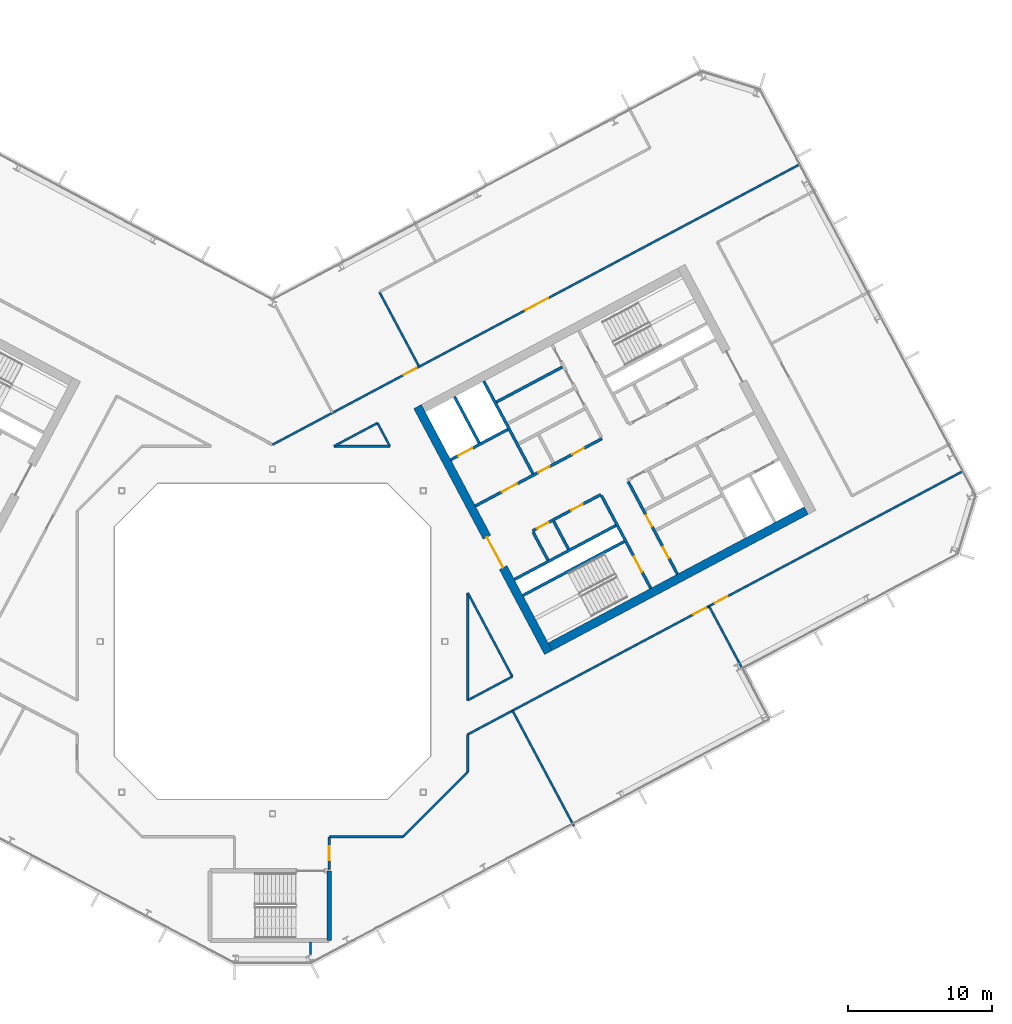
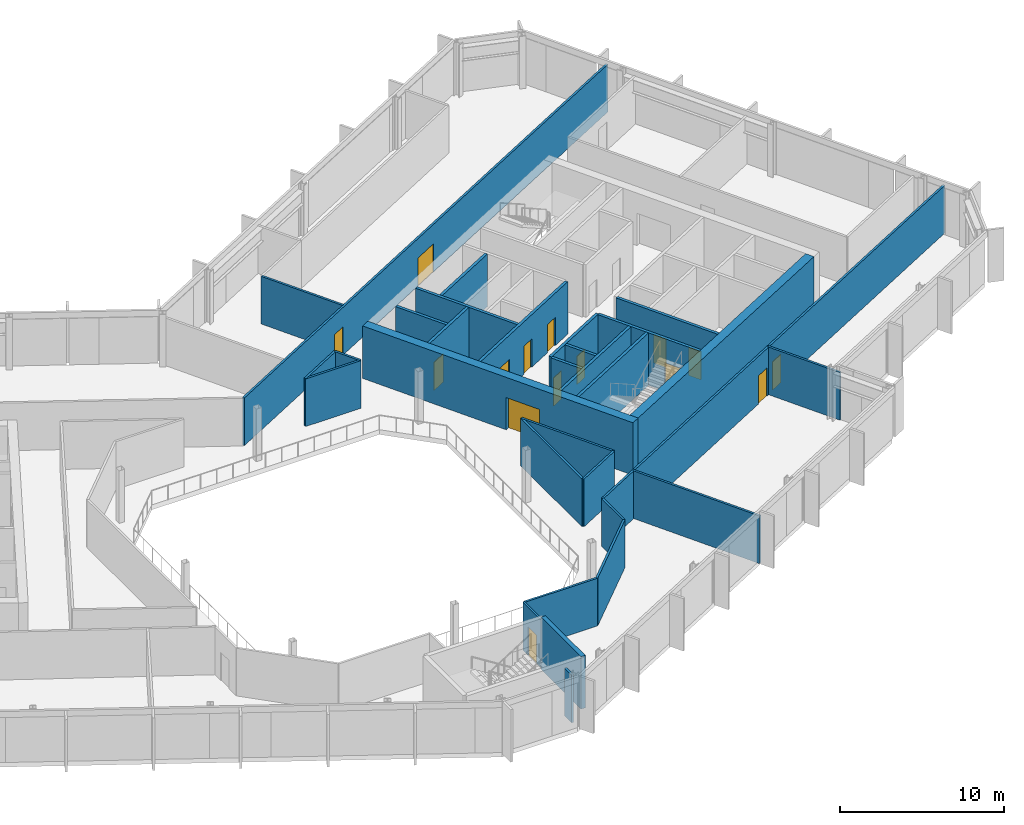
# One storey, part 16 of 27: 31 walls, 15 doors, 15 openings.
"""IFC4 building model written with IfcOpenShell, lengths in metres."""

import ifcopenshell
import ifcopenshell.guid

model = None  # the IFC model being written
_history = None  # IfcOwnerHistory: only IFC2X3 demands one
_inside = {}  # id of a spatial element -> (the spatial element, [elements in it])
_under = {}  # id of a project, library or spatial element -> (it, [spatial elements below it])
_declared = {}  # id of a project -> (the project, [libraries it declares])
_typed = {}  # id of a type object -> (the type object, [elements of that type])
_made_of = {}  # id of a material, layer set ... -> (it, [elements and type objects made of it])


def new_model(schema):
    """Start an empty IFC model of exactly this schema.

    Asked for "IFC4X3", IfcOpenShell would pick the latest addendum, in which some entities
    have other attributes; the version numbers below select the first issue.
    IFC2X3 requires an IfcOwnerHistory on every rooted entity: one is made here for all.
    """
    global model, _history
    if schema == "IFC4X3":
        model = ifcopenshell.file(schema_version=(4, 3, 0, 0))
    else:
        model = ifcopenshell.file(schema=schema)
    _inside.clear()
    _under.clear()
    _declared.clear()
    _typed.clear()
    _made_of.clear()
    _history = None
    if model.schema == "IFC2X3":
        org = make("IfcOrganization", Name="unknown")
        user = make(
            "IfcPersonAndOrganization",
            ThePerson=make("IfcPerson", FamilyName="unknown"),
            TheOrganization=org,
        )
        app = make(
            "IfcApplication",
            ApplicationDeveloper=org,
            Version="unknown",
            ApplicationFullName="unknown",
            ApplicationIdentifier="unknown",
        )
        _history = make(
            "IfcOwnerHistory",
            OwningUser=user,
            OwningApplication=app,
            ChangeAction="ADDED",
            CreationDate=0,
        )
    return model


def make(cls, **values):
    """One entity of the class cls with the attributes given. An attribute that is None is left unset."""
    return model.create_entity(
        cls, **{name: value for name, value in values.items() if value is not None}
    )


def rooted(cls, **values):
    """An entity with a GlobalId (a new one), such as an element, a storey or a relation."""
    return make(cls, GlobalId=ifcopenshell.guid.new(), OwnerHistory=_history, **values)


def si_unit(unit_type, name, prefix=None):
    """IfcSIUnit, for example si_unit("LENGTHUNIT", "METRE", prefix="MILLI")."""
    return make("IfcSIUnit", UnitType=unit_type, Prefix=prefix, Name=name)


def assignment(units):
    """IfcUnitAssignment: the units of a project."""
    return None if units is None else make("IfcUnitAssignment", Units=units)


def point(xyz):
    """IfcCartesianPoint."""
    return None if xyz is None else make("IfcCartesianPoint", Coordinates=xyz)


def direction(xyz):
    """IfcDirection."""
    return None if xyz is None else make("IfcDirection", DirectionRatios=xyz)


def frame(location, z_axis=None, x_axis=None):
    """IfcAxis2Placement3D, a coordinate frame: its origin and axes. An axis left out is left unset."""
    return make(
        "IfcAxis2Placement3D",
        Location=point(location),
        Axis=direction(z_axis),
        RefDirection=direction(x_axis),
    )


def frame_2d(location, x_axis=None):
    """IfcAxis2Placement2D, a coordinate frame in the plane: its origin and x axis."""
    return make(
        "IfcAxis2Placement2D", Location=point(location), RefDirection=direction(x_axis)
    )


def origin():
    """The frame at (0, 0, 0) with its axes left unset."""
    return frame((0.0, 0.0, 0.0))


def place(relative_to, where):
    """IfcLocalPlacement: puts the frame where relative to a parent placement (None: the world)."""
    return make(
        "IfcLocalPlacement", PlacementRelTo=relative_to, RelativePlacement=where
    )


def context(
    kind, dimensions, precision=None, world=None, true_north=None, identifier=None
):
    """IfcGeometricRepresentationContext, for example the 3D "Model" context."""
    return make(
        "IfcGeometricRepresentationContext",
        ContextIdentifier=identifier,
        ContextType=kind,
        CoordinateSpaceDimension=dimensions,
        Precision=precision,
        WorldCoordinateSystem=world,
        TrueNorth=true_north,
    )


def subcontext(parent, identifier, kind, view, scale=None):
    """IfcGeometricRepresentationSubContext, for example "Body" below "Model"."""
    return make(
        "IfcGeometricRepresentationSubContext",
        ContextIdentifier=identifier,
        ContextType=kind,
        ParentContext=parent,
        TargetScale=scale,
        TargetView=view,
    )


def project(units=None, contexts=None):
    """IfcProject with its units and contexts."""
    return rooted(
        "IfcProject",
        Name="project",
        RepresentationContexts=contexts,
        UnitsInContext=assignment(units),
    )


def spatial(cls, under=None, at=None, **own):
    """A site, building, storey or space (cls), placed at a placement, below another one or the project."""
    s = rooted(cls, ObjectPlacement=at, **own)
    if under is not None:
        _under.setdefault(under.id(), (under, []))[1].append(s)
    return s


def profile(cls, at=None, kind="AREA", **sizes):
    """A parametric profile (cls). Its sizes go by their IFC names, for example OverallWidth=200.0."""
    return make(cls, ProfileType=kind, Position=at, **sizes)


def rectangle(**sizes):
    """IfcRectangleProfileDef."""
    return profile("IfcRectangleProfileDef", **sizes)


def extrude(swept, where, along, depth):
    """IfcExtrudedAreaSolid: the profile swept, set in the frame where, extruded along a direction by depth."""
    return make(
        "IfcExtrudedAreaSolid",
        SweptArea=swept,
        Position=where,
        ExtrudedDirection=direction(along),
        Depth=depth,
    )


def shape(context_of_items, identifier, shape_type, items):
    """IfcShapeRepresentation: the items that make up one representation, for example the "Body"."""
    return make(
        "IfcShapeRepresentation",
        ContextOfItems=context_of_items,
        RepresentationIdentifier=identifier,
        RepresentationType=shape_type,
        Items=items,
    )


def material(Name=None, Category=None):
    """IfcMaterial."""
    return make("IfcMaterial", Name=Name, Category=Category)


def layer(
    of_material, thickness, ventilated=None, Name=None, Category=None, Priority=None
):
    """IfcMaterialLayer: one layer of a wall or slab, of a material (None: an air gap)."""
    return make(
        "IfcMaterialLayer",
        Material=of_material,
        LayerThickness=thickness,
        IsVentilated=ventilated,
        Name=Name,
        Category=Category,
        Priority=Priority,
    )


def layer_set(layers, Name=None):
    """IfcMaterialLayerSet."""
    return make("IfcMaterialLayerSet", MaterialLayers=layers, LayerSetName=Name)


def made_of(thing, what):
    """Note that an element or type object is made of a material, layer set ...; save() writes the relation."""
    if what is not None:
        _made_of.setdefault(what.id(), (what, []))[1].append(thing)
    return thing


def type_object(cls, material=None, **own):
    """A type object (cls), such as IfcWallType, which elements share."""
    return made_of(rooted(cls, **own), material)


def element(
    cls,
    number,
    at=None,
    inside=None,
    cuts=None,
    type_object=None,
    material=None,
    context=None,
    identifier="Body",
    shape_type=None,
    held_by="IfcProductDefinitionShape",
    body=None,
    shapes=None,
    **own,
):
    """One element of the class cls, such as IfcWall. Its Tag is "e" and its number.

    at: its placement. inside: the storey or other place that contains it. cuts: it is an
    opening in that element (IfcRelVoidsElement). A single representation is given by context,
    identifier, shape_type and body (its items); several are given by shapes. held_by: the class
    of the entity that holds the representations. save() writes the other relations.
    """
    e = rooted(cls, Tag="e%d" % number, ObjectPlacement=at, **own)
    if body is not None:
        shapes = [shape(context, identifier, shape_type, body)]
    if shapes is not None:
        e.Representation = make(held_by, Representations=shapes)
    if inside is not None:
        _inside.setdefault(inside.id(), (inside, []))[1].append(e)
    if cuts is not None:
        rooted(
            "IfcRelVoidsElement", RelatingBuildingElement=cuts, RelatedOpeningElement=e
        )
    if type_object is not None:
        _typed.setdefault(type_object.id(), (type_object, []))[1].append(e)
    return made_of(e, material)


def fill(opening, filler):
    """IfcRelFillsElement: the door or window that sits in an opening."""
    return rooted(
        "IfcRelFillsElement",
        RelatingOpeningElement=opening,
        RelatedBuildingElement=filler,
    )


def aggregate(whole, parts):
    """IfcRelAggregates: a whole, such as a stair, and the parts it consists of."""
    return rooted("IfcRelAggregates", RelatingObject=whole, RelatedObjects=parts)


def save(model, path):
    """Write the relations noted so far, then the file.

    IfcRelAggregates (storeys below a building ...), IfcRelContainedInSpatialStructure (elements
    in a storey), IfcRelDefinesByType, IfcRelAssociatesMaterial and IfcRelDeclares: one each for
    every whole, place, type object, material and project.
    """
    for whole, parts in _under.values():
        aggregate(whole, parts)
    for where, things in _inside.values():
        rooted(
            "IfcRelContainedInSpatialStructure",
            RelatedElements=things,
            RelatingStructure=where,
        )
    for kind, things in _typed.values():
        rooted("IfcRelDefinesByType", RelatedObjects=things, RelatingType=kind)
    for what, things in _made_of.values():
        rooted("IfcRelAssociatesMaterial", RelatedObjects=things, RelatingMaterial=what)
    for by, libraries in _declared.values():
        rooted("IfcRelDeclares", RelatingContext=by, RelatedDefinitions=libraries)
    model.write(path)


model = new_model("IFC4")

# Units and contexts
model_context = context("Model", 3, precision=1e-05, world=origin(), true_north=direction((0.0, 1.0)))
body_context = subcontext(model_context, "Body", "Model", "MODEL_VIEW")
ifc_project = project(units=[si_unit("LENGTHUNIT", "METRE"), si_unit("AREAUNIT", "SQUARE_METRE"), si_unit("VOLUMEUNIT", "CUBIC_METRE"), si_unit("PLANEANGLEUNIT", "RADIAN"), si_unit("MASSUNIT", "GRAM", prefix="KILO")], contexts=[model_context])

# Site, building, storey
site_placement = place(None, origin())
site = spatial("IfcSite", under=ifc_project, at=site_placement, CompositionType="ELEMENT")
building_placement = place(site_placement, origin())
building = spatial("IfcBuilding", under=site, at=building_placement, Name="Cormorant Relay Tower", CompositionType="ELEMENT")
storey_placement = place(building_placement, frame((0.0, 0.0, 216.89990234375)))
storey = spatial("IfcBuildingStorey", under=building, at=storey_placement, Name="L47", CompositionType="ELEMENT", Elevation=216.89990234375)

# Walls
ifc_material_1 = material(Name="Concrete 40 MPa", Category="concrete")
ifc_layer_1 = layer(ifc_material_1, 0.199951171875)
ifc_layer_set_1 = layer_set([ifc_layer_1], Name="Core internal wall 200")
wall_type_1 = type_object("IfcWallType", Name="Core internal wall 200", PredefinedType="SOLIDWALL", material=ifc_layer_set_1)
wall_1_placement = place(storey_placement, frame((20.614013671875, 6.430419921875, 0.0), z_axis=(0.0, 0.0, 1.0), x_axis=(-0.4694473164, 0.882960484464, 0.0)))
element("IfcWall", 1, at=wall_1_placement, inside=storey, type_object=wall_type_1, Name="L47 core B shaft and room wall", PredefinedType="SOLIDWALL", context=body_context, shape_type="SweptSolid", body=[
    extrude(rectangle(XDim=2.199951171875, YDim=0.199951171875, at=frame_2d((1.10009765625, 0.0))), origin(), (0.0, 0.0, 1.0), 3.900146484375),
])
wall_2_placement = place(storey_placement, frame((15.59765625, 16.67431640625, 0.0), z_axis=(0.0, 0.0, 1.0), x_axis=(0.882934506056, 0.469496174655, 0.0)))
element("IfcWall", 2, at=wall_2_placement, inside=storey, type_object=wall_type_1, Name="L47 core B shaft and room wall", PredefinedType="SOLIDWALL", context=body_context, shape_type="SweptSolid", body=[
    extrude(rectangle(XDim=5.199951171875, YDim=0.199951171875, at=frame_2d((2.60009765625, 0.0))), origin(), (0.0, 0.0, 1.0), 3.900146484375),
])
ifc_material_2 = material(Name="Concrete 50 MPa", Category="concrete")
ifc_layer_2 = layer(ifc_material_2, 0.199951171875)
ifc_layer_set_2 = layer_set([ifc_layer_2], Name="Core shaft wall 200")
wall_type_2 = type_object("IfcWallType", Name="Core shaft wall 200", PredefinedType="SHEAR", material=ifc_layer_set_2)
wall_3_placement = place(storey_placement, frame((14.39404296875, 13.825927734375, 0.0), z_axis=(0.0, 0.0, 1.0), x_axis=(-0.469494272526, 0.882935517501, 0.0)))
element("IfcWall", 3, at=wall_3_placement, inside=storey, type_object=wall_type_2, Name="L47 core B shaft wall", PredefinedType="SHEAR", context=body_context, shape_type="SweptSolid", body=[
    extrude(rectangle(XDim=3.64990234375, YDim=0.199951171875, at=frame_2d((1.824951171875, 0.0))), origin(), (0.0, 0.0, 1.0), 3.900146484375),
])
wall_4_placement = place(storey_placement, frame((19.18359375, 5.669921875, 0.0), z_axis=(0.0, 0.0, 1.0), x_axis=(-0.4694473164, 0.882960484464, 0.0)))
element("IfcWall", 4, at=wall_4_placement, inside=storey, type_object=wall_type_2, Name="L47 core B shaft wall", PredefinedType="SHEAR", context=body_context, shape_type="SweptSolid", body=[
    extrude(rectangle(XDim=2.199951171875, YDim=0.199951171875, at=frame_2d((1.10009765625, 0.0))), origin(), (0.0, 0.0, 1.0), 3.900146484375),
])
wall_5_placement = place(storey_placement, frame((18.138427734375, 11.682861328125, 0.0), z_axis=(0.0, 0.0, 1.0), x_axis=(-0.469480409012, 0.88294288918, 0.0)))
element("IfcWall", 5, at=wall_5_placement, inside=storey, type_object=wall_type_2, Name="L47 core B shaft wall", PredefinedType="SHEAR", context=body_context, shape_type="SweptSolid", body=[
    extrude(rectangle(XDim=7.300048828125, YDim=0.199951171875, at=frame_2d((3.64990234375, 0.0))), origin(), (0.0, 0.0, 1.0), 3.900146484375),
])

# Wall, opening, door
wall_6_placement = place(storey_placement, frame((26.345947265625, 3.701904296875, 0.0), z_axis=(0.0, 0.0, 1.0), x_axis=(-0.469480409012, 0.88294288918, 0.0)))
wall_6 = element("IfcWall", 6, at=wall_6_placement, inside=storey, type_object=wall_type_2, Name="L47 core B shaft wall", PredefinedType="SHEAR", context=body_context, shape_type="SweptSolid", body=[
    extrude(rectangle(XDim=7.300048828125, YDim=0.199951171875, at=frame_2d((3.64990234375, 0.0))), origin(), (0.0, 0.0, 1.0), 3.900146484375),
])
opening_1_placement = place(wall_6_placement, frame((1.300048828125, 0.0, 0.0)))
opening_1 = element("IfcOpeningElement", 7, at=opening_1_placement, cuts=wall_6, Name="Opening CDB-040", PredefinedType="OPENING", context=body_context, shape_type="SweptSolid", body=[
    extrude(rectangle(XDim=1.199951171875, YDim=2.10009765625, at=frame_2d((0.60009765625, 1.050048828125))), frame((0.0, 0.10986328125, 0.0), z_axis=(0.0, -1.0, 0.0), x_axis=(1.0, 0.0, 0.0)), (0.0, 0.0, 1.0), 0.219970703125),
])
ifc_material_3 = material(Name="Steel fire door", Category="steel")
door_type_1 = type_object("IfcDoorType", Name="Core stair door 1200x2100", OperationType="SINGLE_SWING_LEFT", PredefinedType="DOOR", material=ifc_material_3)
door_1_placement = place(opening_1_placement, origin())
door_1 = element("IfcDoor", 8, at=door_1_placement, inside=storey, type_object=door_type_1, Name="Core stair door 1200x2100", OperationType="SINGLE_SWING_RIGHT", OverallHeight=2.10009765625, OverallWidth=1.199951171875, PredefinedType="DOOR", context=body_context, shape_type="SweptSolid", body=[
    extrude(rectangle(XDim=1.199951171875, YDim=2.10009765625, at=frame_2d((0.60009765625, 1.050048828125))), frame((0.0, 0.02490234375, 0.0), z_axis=(0.0, -1.0, 0.0), x_axis=(1.0, 0.0, 0.0)), (0.0, 0.0, 1.0), 0.050048828125),
])
fill(opening_1, door_1)

# Wall, openings, doors
wall_7_placement = place(storey_placement, frame((28.199951171875, 4.687744140625, 0.0), z_axis=(0.0, 0.0, 1.0), x_axis=(-0.469454336211, 0.882956752176, 0.0)))
wall_7 = element("IfcWall", 9, at=wall_7_placement, inside=storey, type_object=wall_type_2, Name="L47 core B shaft wall", PredefinedType="SHEAR", context=body_context, shape_type="SweptSolid", body=[
    extrude(rectangle(XDim=7.300048828125, YDim=0.199951171875, at=frame_2d((3.64990234375, 0.0))), origin(), (0.0, 0.0, 1.0), 3.900146484375),
])
opening_2_placement = place(wall_7_placement, frame((1.25, 0.0, 0.0)))
opening_2 = element("IfcOpeningElement", 10, at=opening_2_placement, cuts=wall_7, Name="Opening CDD-277", PredefinedType="OPENING", context=body_context, shape_type="SweptSolid", body=[
    extrude(rectangle(XDim=0.89990234375, YDim=2.10009765625, at=frame_2d((0.449951171875, 1.050048828125))), frame((0.0, 0.10986328125, 0.0), z_axis=(0.0, -1.0, 0.0), x_axis=(1.0, 0.0, 0.0)), (0.0, 0.0, 1.0), 0.219970703125),
])
opening_3_placement = place(wall_7_placement, frame((3.75, 0.0, 0.0)))
opening_3 = element("IfcOpeningElement", 11, at=opening_3_placement, cuts=wall_7, Name="Opening CDD-253", PredefinedType="OPENING", context=body_context, shape_type="SweptSolid", body=[
    extrude(rectangle(XDim=0.89990234375, YDim=2.10009765625, at=frame_2d((0.449951171875, 1.050048828125))), frame((0.0, 0.10986328125, 0.0), z_axis=(0.0, -1.0, 0.0), x_axis=(1.0, 0.0, 0.0)), (0.0, 0.0, 1.0), 0.219970703125),
])
ifc_material_4 = material(Name="Steel fire door", Category="steel")
door_type_2 = type_object("IfcDoorType", Name="Core room door 900x2100", OperationType="SINGLE_SWING_LEFT", PredefinedType="DOOR", material=ifc_material_4)
door_2_placement = place(opening_2_placement, frame((0.89990234375, 0.0, 0.0), z_axis=(0.0, 0.0, 1.0), x_axis=(-1.0, 0.0, 0.0)))
door_2 = element("IfcDoor", 12, at=door_2_placement, inside=storey, type_object=door_type_2, Name="Core room door 900x2100", OperationType="SINGLE_SWING_LEFT", OverallHeight=2.10009765625, OverallWidth=0.89990234375, PredefinedType="DOOR", context=body_context, shape_type="SweptSolid", body=[
    extrude(rectangle(XDim=0.89990234375, YDim=2.10009765625, at=frame_2d((0.449951171875, 1.050048828125))), frame((0.0, 0.02490234375, 0.0), z_axis=(0.0, -1.0, 0.0), x_axis=(1.0, 0.0, 0.0)), (0.0, 0.0, 1.0), 0.050048828125),
])
fill(opening_2, door_2)
door_3_placement = place(opening_3_placement, frame((0.89990234375, 0.0, 0.0), z_axis=(0.0, 0.0, 1.0), x_axis=(-1.0, 0.0, 0.0)))
door_3 = element("IfcDoor", 13, at=door_3_placement, inside=storey, type_object=door_type_2, Name="Core room door 900x2100", OperationType="SINGLE_SWING_LEFT", OverallHeight=2.10009765625, OverallWidth=0.89990234375, PredefinedType="DOOR", context=body_context, shape_type="SweptSolid", body=[
    extrude(rectangle(XDim=0.89990234375, YDim=2.10009765625, at=frame_2d((0.449951171875, 1.050048828125))), frame((0.0, 0.02490234375, 0.0), z_axis=(0.0, -1.0, 0.0), x_axis=(1.0, 0.0, 0.0)), (0.0, 0.0, 1.0), 0.050048828125),
])
fill(opening_3, door_3)

# Walls
for number, where, z_axis, x_axis, name in (
    (14, (17.43359375, 3.210205078125, 0.0), (0.0, 0.0, 1.0), (0.882940221191, 0.469485426614, 0.0), "L47 core B shaft wall"),
    (15, (16.8466796875, 4.31396484375, 0.0), (0.0, 0.0, 1.0), (0.882940221191, 0.469485426614, 0.0), "L47 core B shaft wall"),
):
    element("IfcWall", number, at=place(storey_placement, frame(where, z_axis=z_axis, x_axis=x_axis)), inside=storey, type_object=wall_type_2, Name=name, PredefinedType="SHEAR", context=body_context, shape_type="SweptSolid", body=[
        extrude(rectangle(XDim=8.0, YDim=0.199951171875, at=frame_2d((4.0, 0.0))), origin(), (0.0, 0.0, 1.0), 3.900146484375),
    ])

# Wall, openings, doors
wall_8_placement = place(storey_placement, frame((18.103759765625, 7.70068359375, 0.0), z_axis=(0.0, 0.0, 1.0), x_axis=(0.882952937579, 0.469461510692, 0.0)))
wall_8 = element("IfcWall", 16, at=wall_8_placement, inside=storey, type_object=wall_type_2, Name="L47 core B shaft wall", PredefinedType="SHEAR", context=body_context, shape_type="SweptSolid", body=[
    extrude(rectangle(XDim=5.400146484375, YDim=0.199951171875, at=frame_2d((2.7001953125, 0.0))), origin(), (0.0, 0.0, 1.0), 3.900146484375),
])
opening_4_placement = place(wall_8_placement, frame((0.360107421875, 0.0, 0.0)))
opening_4 = element("IfcOpeningElement", 17, at=opening_4_placement, cuts=wall_8, Name="Opening CDD-245", PredefinedType="OPENING", context=body_context, shape_type="SweptSolid", body=[
    extrude(rectangle(XDim=0.89990234375, YDim=2.10009765625, at=frame_2d((0.449951171875, 1.050048828125))), frame((0.0, 0.10986328125, 0.0), z_axis=(0.0, -1.0, 0.0), x_axis=(1.0, 0.0, 0.0)), (0.0, 0.0, 1.0), 0.219970703125),
])
opening_5_placement = place(wall_8_placement, frame((3.06005859375, 0.0, 0.0)))
opening_5 = element("IfcOpeningElement", 18, at=opening_5_placement, cuts=wall_8, Name="Opening CDD-246", PredefinedType="OPENING", context=body_context, shape_type="SweptSolid", body=[
    extrude(rectangle(XDim=0.89990234375, YDim=2.10009765625, at=frame_2d((0.449951171875, 1.050048828125))), frame((0.0, 0.10986328125, 0.0), z_axis=(0.0, -1.0, 0.0), x_axis=(1.0, 0.0, 0.0)), (0.0, 0.0, 1.0), 0.219970703125),
])
door_4_placement = place(opening_4_placement, frame((0.89990234375, 0.0, 0.0), z_axis=(0.0, 0.0, 1.0), x_axis=(-1.0, 0.0, 0.0)))
door_4 = element("IfcDoor", 19, at=door_4_placement, inside=storey, type_object=door_type_2, Name="Core room door 900x2100", OperationType="SINGLE_SWING_RIGHT", OverallHeight=2.10009765625, OverallWidth=0.89990234375, PredefinedType="DOOR", context=body_context, shape_type="SweptSolid", body=[
    extrude(rectangle(XDim=0.89990234375, YDim=2.10009765625, at=frame_2d((0.449951171875, 1.050048828125))), frame((0.0, 0.02490234375, 0.0), z_axis=(0.0, -1.0, 0.0), x_axis=(1.0, 0.0, 0.0)), (0.0, 0.0, 1.0), 0.050048828125),
])
fill(opening_4, door_4)
door_5_placement = place(opening_5_placement, frame((0.89990234375, 0.0, 0.0), z_axis=(0.0, 0.0, 1.0), x_axis=(-1.0, 0.0, 0.0)))
door_5 = element("IfcDoor", 20, at=door_5_placement, inside=storey, type_object=door_type_2, Name="Core room door 900x2100", OperationType="SINGLE_SWING_RIGHT", OverallHeight=2.10009765625, OverallWidth=0.89990234375, PredefinedType="DOOR", context=body_context, shape_type="SweptSolid", body=[
    extrude(rectangle(XDim=0.89990234375, YDim=2.10009765625, at=frame_2d((0.449951171875, 1.050048828125))), frame((0.0, 0.02490234375, 0.0), z_axis=(0.0, -1.0, 0.0), x_axis=(1.0, 0.0, 0.0)), (0.0, 0.0, 1.0), 0.050048828125),
])
fill(opening_5, door_5)

wall_9_placement = place(storey_placement, frame((14.123779296875, 9.43505859375, 0.0), z_axis=(0.0, 0.0, 1.0), x_axis=(0.882940221191, 0.469485426614, 0.0)))
wall_9 = element("IfcWall", 21, at=wall_9_placement, inside=storey, type_object=wall_type_2, Name="L47 core B shaft wall", PredefinedType="SHEAR", context=body_context, shape_type="SweptSolid", body=[
    extrude(rectangle(XDim=10.0, YDim=0.199951171875, at=frame_2d((5.0, 0.0))), origin(), (0.0, 0.0, 1.0), 3.900146484375),
])
opening_6_placement = place(wall_9_placement, frame((2.10009765625, 0.0, 0.0)))
opening_6 = element("IfcOpeningElement", 22, at=opening_6_placement, cuts=wall_9, Name="Opening CDC-035", PredefinedType="OPENING", context=body_context, shape_type="SweptSolid", body=[
    extrude(rectangle(XDim=1.199951171875, YDim=2.10009765625, at=frame_2d((0.60009765625, 1.050048828125))), frame((0.0, 0.10986328125, 0.0), z_axis=(0.0, -1.0, 0.0), x_axis=(1.0, 0.0, 0.0)), (0.0, 0.0, 1.0), 0.219970703125),
])
opening_7_placement = place(wall_9_placement, frame((4.9599609375, 0.0, 0.0)))
opening_7 = element("IfcOpeningElement", 23, at=opening_7_placement, cuts=wall_9, Name="Opening CDD-241", PredefinedType="OPENING", context=body_context, shape_type="SweptSolid", body=[
    extrude(rectangle(XDim=0.89990234375, YDim=2.10009765625, at=frame_2d((0.449951171875, 1.050048828125))), frame((0.0, 0.10986328125, 0.0), z_axis=(0.0, -1.0, 0.0), x_axis=(1.0, 0.0, 0.0)), (0.0, 0.0, 1.0), 0.219970703125),
])
opening_8_placement = place(wall_9_placement, frame((7.659912109375, 0.0, 0.0)))
opening_8 = element("IfcOpeningElement", 24, at=opening_8_placement, cuts=wall_9, Name="Opening CDD-272", PredefinedType="OPENING", context=body_context, shape_type="SweptSolid", body=[
    extrude(rectangle(XDim=0.89990234375, YDim=2.10009765625, at=frame_2d((0.449951171875, 1.050048828125))), frame((0.0, 0.10986328125, 0.0), z_axis=(0.0, -1.0, 0.0), x_axis=(1.0, 0.0, 0.0)), (0.0, 0.0, 1.0), 0.219970703125),
])
ifc_material_5 = material(Name="Steel fire door", Category="steel")
door_type_3 = type_object("IfcDoorType", Name="Core lobby door 1200x2100", OperationType="SINGLE_SWING_LEFT", PredefinedType="DOOR", material=ifc_material_5)
door_6_placement = place(opening_6_placement, frame((1.199951171875, 0.0, 0.0), z_axis=(0.0, 0.0, 1.0), x_axis=(-1.0, 0.0, 0.0)))
door_6 = element("IfcDoor", 25, at=door_6_placement, inside=storey, type_object=door_type_3, Name="Core lobby door 1200x2100", OperationType="SINGLE_SWING_RIGHT", OverallHeight=2.10009765625, OverallWidth=1.199951171875, PredefinedType="DOOR", context=body_context, shape_type="SweptSolid", body=[
    extrude(rectangle(XDim=1.199951171875, YDim=2.10009765625, at=frame_2d((0.60009765625, 1.050048828125))), frame((0.0, 0.02490234375, 0.0), z_axis=(0.0, -1.0, 0.0), x_axis=(1.0, 0.0, 0.0)), (0.0, 0.0, 1.0), 0.050048828125),
])
fill(opening_6, door_6)
door_7_placement = place(opening_7_placement, frame((0.89990234375, 0.0, 0.0), z_axis=(0.0, 0.0, 1.0), x_axis=(-1.0, 0.0, 0.0)))
door_7 = element("IfcDoor", 26, at=door_7_placement, inside=storey, type_object=door_type_2, Name="Core room door 900x2100", OperationType="SINGLE_SWING_RIGHT", OverallHeight=2.10009765625, OverallWidth=0.89990234375, PredefinedType="DOOR", context=body_context, shape_type="SweptSolid", body=[
    extrude(rectangle(XDim=0.89990234375, YDim=2.10009765625, at=frame_2d((0.449951171875, 1.050048828125))), frame((0.0, 0.02490234375, 0.0), z_axis=(0.0, -1.0, 0.0), x_axis=(1.0, 0.0, 0.0)), (0.0, 0.0, 1.0), 0.050048828125),
])
fill(opening_7, door_7)
door_8_placement = place(opening_8_placement, origin())
door_8 = element("IfcDoor", 27, at=door_8_placement, inside=storey, type_object=door_type_2, Name="Core room door 900x2100", OperationType="SINGLE_SWING_LEFT", OverallHeight=2.10009765625, OverallWidth=0.89990234375, PredefinedType="DOOR", context=body_context, shape_type="SweptSolid", body=[
    extrude(rectangle(XDim=0.89990234375, YDim=2.10009765625, at=frame_2d((0.449951171875, 1.050048828125))), frame((0.0, 0.02490234375, 0.0), z_axis=(0.0, -1.0, 0.0), x_axis=(1.0, 0.0, 0.0)), (0.0, 0.0, 1.0), 0.050048828125),
])
fill(opening_8, door_8)

# Wall, opening, door
wall_10_placement = place(storey_placement, frame((12.41015625, 12.657958984375, 0.0), z_axis=(0.0, 0.0, 1.0), x_axis=(0.8829484765, 0.469469900894, 0.0)))
wall_10 = element("IfcWall", 28, at=wall_10_placement, inside=storey, type_object=wall_type_2, Name="L47 core B shaft wall", PredefinedType="SHEAR", context=body_context, shape_type="SweptSolid", body=[
    extrude(rectangle(XDim=4.499755859375, YDim=0.199951171875, at=frame_2d((2.25, 0.0))), origin(), (0.0, 0.0, 1.0), 3.900146484375),
])
opening_9_placement = place(wall_10_placement, frame((0.60009765625, 0.0, 0.0)))
opening_9 = element("IfcOpeningElement", 29, at=opening_9_placement, cuts=wall_10, Name="Opening LD1-064", PredefinedType="OPENING", context=body_context, shape_type="SweptSolid", body=[
    extrude(rectangle(XDim=1.10009765625, YDim=2.10009765625, at=frame_2d((0.550048828125, 1.050048828125))), frame((0.0, 0.10986328125, 0.0), z_axis=(0.0, -1.0, 0.0), x_axis=(1.0, 0.0, 0.0)), (0.0, 0.0, 1.0), 0.219970703125),
])
ifc_material_6 = material(Name="Stainless steel 316", Category="steel")
door_type_4 = type_object("IfcDoorType", Name="Lift landing door 1100x2100", OperationType="DOUBLE_DOOR_SLIDING", PredefinedType="DOOR", material=ifc_material_6)
door_9_placement = place(opening_9_placement, origin())
door_9 = element("IfcDoor", 30, at=door_9_placement, inside=storey, type_object=door_type_4, Name="FF2 landing door", OperationType="DOUBLE_DOOR_SLIDING", OverallHeight=2.10009765625, OverallWidth=1.10009765625, PredefinedType="DOOR", context=body_context, shape_type="SweptSolid", body=[
    extrude(rectangle(XDim=1.10009765625, YDim=2.10009765625, at=frame_2d((0.550048828125, 1.050048828125))), frame((0.0, 0.02490234375, 0.0), z_axis=(0.0, -1.0, 0.0), x_axis=(1.0, 0.0, 0.0)), (0.0, 0.0, 1.0), 0.050048828125),
])
fill(opening_9, door_9)

ifc_material_7 = material(Name="Concrete 50 MPa", Category="concrete")
ifc_layer_3 = layer(ifc_material_7, 0.60009765625)
ifc_layer_set_3 = layer_set([ifc_layer_3], Name="Core wall 600")
wall_type_3 = type_object("IfcWallType", Name="Core wall 600", PredefinedType="SHEAR", material=ifc_layer_set_3)
wall_11_placement = place(storey_placement, frame((19.210693359375, -0.771484375, 0.0), z_axis=(0.0, 0.0, 1.0), x_axis=(-0.469463742137, 0.882951751127, 0.0)))
wall_11 = element("IfcWall", 31, at=wall_11_placement, inside=storey, type_object=wall_type_3, Name="L47 core B wall", PredefinedType="SHEAR", context=body_context, shape_type="SweptSolid", body=[
    extrude(rectangle(XDim=19.400146484375, YDim=0.60009765625, at=frame_2d((9.7001953125, 0.0))), origin(), (0.0, 0.0, 1.0), 3.900146484375),
])
opening_10_placement = place(wall_11_placement, frame((6.699951171875, 0.0, 0.0)))
opening_10 = element("IfcOpeningElement", 32, at=opening_10_placement, cuts=wall_11, Name="Opening CDA-042", PredefinedType="OPENING", context=body_context, shape_type="SweptSolid", body=[
    extrude(rectangle(XDim=2.39990234375, YDim=2.39990234375, at=frame_2d((1.199951171875, 1.199951171875))), frame((0.0, 0.31005859375, 0.0), z_axis=(0.0, -1.0, 0.0), x_axis=(1.0, 0.0, 0.0)), (0.0, 0.0, 1.0), 0.6201171875),
])
ifc_material_8 = material(Name="Steel fire door", Category="steel")
door_type_5 = type_object("IfcDoorType", Name="Core lobby door 2400x2400", OperationType="DOUBLE_DOOR_SINGLE_SWING", PredefinedType="DOOR", material=ifc_material_8)
door_10_placement = place(opening_10_placement, frame((2.39990234375, 0.0, 0.0), z_axis=(0.0, 0.0, 1.0), x_axis=(-1.0, 0.0, 0.0)))
door_10 = element("IfcDoor", 33, at=door_10_placement, inside=storey, type_object=door_type_5, Name="Core lobby door 2400x2400", OperationType="DOUBLE_DOOR_SINGLE_SWING", OverallHeight=2.39990234375, OverallWidth=2.39990234375, PredefinedType="DOOR", context=body_context, shape_type="SweptSolid", body=[
    extrude(rectangle(XDim=2.39990234375, YDim=2.39990234375, at=frame_2d((1.199951171875, 1.199951171875))), frame((0.0, 0.02490234375, 0.0), z_axis=(0.0, -1.0, 0.0), x_axis=(1.0, 0.0, 0.0)), (0.0, 0.0, 1.0), 0.050048828125),
])
fill(opening_10, door_10)

# Wall
wall_12_placement = place(storey_placement, frame((19.3349609375, -0.36572265625, 0.0), z_axis=(0.0, 0.0, 1.0), x_axis=(0.88294509198, 0.469476266226, 0.0)))
element("IfcWall", 34, at=wall_12_placement, inside=storey, type_object=wall_type_3, Name="L47 core B wall", PredefinedType="SHEAR", context=body_context, shape_type="SweptSolid", body=[
    extrude(rectangle(XDim=20.199951171875, YDim=0.60009765625, at=frame_2d((10.10009765625, 0.0))), origin(), (0.0, 0.0, 1.0), 3.900146484375),
])

# Wall, openings, doors
ifc_material_9 = material(Name="Gypsum board fire partition")
ifc_layer_4 = layer(ifc_material_9, 0.14990234375)
ifc_layer_set_4 = layer_set([ifc_layer_4], Name="Corridor partition 150 EI 60")
wall_type_4 = type_object("IfcWallType", Name="Corridor partition 150 EI 60", PredefinedType="PARTITIONING", material=ifc_layer_set_4)
wall_13_placement = place(storey_placement, frame((0.0, 13.7041015625, 0.0), z_axis=(0.0, 0.0, 1.0), x_axis=(0.882937043325, 0.469491403036, 0.0)))
wall_13 = element("IfcWall", 35, at=wall_13_placement, inside=storey, type_object=wall_type_4, Name="wall/L47/part/012", PredefinedType="PARTITIONING", context=body_context, shape_type="SweptSolid", body=[
    extrude(rectangle(XDim=41.76611328125, YDim=0.14990234375, at=frame_2d((20.883056640625, 0.0))), origin(), (0.0, 0.0, 1.0), 3.5400390625),
])
opening_11_placement = place(wall_13_placement, frame((19.949951171875, 0.0, 0.0)))
opening_11 = element("IfcOpeningElement", 36, at=opening_11_placement, cuts=wall_13, Name="Opening DD-026", PredefinedType="OPENING", context=body_context, shape_type="SweptSolid", body=[
    extrude(rectangle(XDim=1.800048828125, YDim=2.10009765625, at=frame_2d((0.89990234375, 1.050048828125))), frame((0.0, 0.0849609375, 0.0), z_axis=(0.0, -1.0, 0.0), x_axis=(1.0, 0.0, 0.0)), (0.0, 0.0, 1.0), 0.169921875),
])
opening_12_placement = place(wall_13_placement, frame((10.35009765625, 0.0, 0.0)))
opening_12 = element("IfcOpeningElement", 37, at=opening_12_placement, cuts=wall_13, Name="Opening DS-147", PredefinedType="OPENING", context=body_context, shape_type="SweptSolid", body=[
    extrude(rectangle(XDim=1.0, YDim=2.10009765625, at=frame_2d((0.5, 1.050048828125))), frame((0.0, 0.0849609375, 0.0), z_axis=(0.0, -1.0, 0.0), x_axis=(1.0, 0.0, 0.0)), (0.0, 0.0, 1.0), 0.169921875),
])
ifc_material_10 = material(Name="Timber door leaf", Category="wood")
door_type_6 = type_object("IfcDoorType", Name="Suite door 1000x2100", OperationType="SINGLE_SWING_LEFT", PredefinedType="DOOR", material=ifc_material_10)
door_11_placement = place(opening_12_placement, origin())
door_11 = element("IfcDoor", 38, at=door_11_placement, inside=storey, type_object=door_type_6, Name="door/L47/012", OperationType="SINGLE_SWING_RIGHT", OverallHeight=2.10009765625, OverallWidth=1.0, PredefinedType="DOOR", context=body_context, shape_type="SweptSolid", body=[
    extrude(rectangle(XDim=1.0, YDim=2.10009765625, at=frame_2d((0.5, 1.050048828125))), frame((0.0, 0.02490234375, 0.0), z_axis=(0.0, -1.0, 0.0), x_axis=(1.0, 0.0, 0.0)), (0.0, 0.0, 1.0), 0.050048828125),
])
fill(opening_12, door_11)
ifc_material_11 = material(Name="Timber door leaf", Category="wood")
door_type_7 = type_object("IfcDoorType", Name="Suite double door 1800x2100", OperationType="DOUBLE_DOOR_SINGLE_SWING", PredefinedType="DOOR", material=ifc_material_11)
door_12_placement = place(opening_11_placement, origin())
door_12 = element("IfcDoor", 39, at=door_12_placement, inside=storey, type_object=door_type_7, Name="door/L47/011", OperationType="DOUBLE_DOOR_SINGLE_SWING", OverallHeight=2.10009765625, OverallWidth=1.800048828125, PredefinedType="DOOR", context=body_context, shape_type="SweptSolid", body=[
    extrude(rectangle(XDim=1.800048828125, YDim=2.10009765625, at=frame_2d((0.89990234375, 1.050048828125))), frame((0.0, 0.02490234375, 0.0), z_axis=(0.0, -1.0, 0.0), x_axis=(1.0, 0.0, 0.0)), (0.0, 0.0, 1.0), 0.050048828125),
])
fill(opening_11, door_12)

# Wall, opening, door
wall_14_placement = place(storey_placement, frame((3.949951171875, -13.60009765625, 0.0), z_axis=(0.0, 0.0, 1.0), x_axis=(0.0, -1.0, 0.0)))
wall_14 = element("IfcWall", 40, at=wall_14_placement, inside=storey, type_object=wall_type_4, Name="wall/L47/part/027", PredefinedType="PARTITIONING", context=body_context, shape_type="SweptSolid", body=[
    extrude(rectangle(XDim=2.27490234375, YDim=0.14990234375, at=frame_2d((1.137451171875, 0.0))), origin(), (0.0, 0.0, 1.0), 3.5400390625),
])
opening_13_placement = place(wall_14_placement, frame((0.64990234375, 0.0, 0.0)))
opening_13 = element("IfcOpeningElement", 41, at=opening_13_placement, cuts=wall_14, Name="Opening DS-138", PredefinedType="OPENING", context=body_context, shape_type="SweptSolid", body=[
    extrude(rectangle(XDim=1.0, YDim=2.10009765625, at=frame_2d((0.5, 1.050048828125))), frame((0.0, 0.0849609375, 0.0), z_axis=(0.0, -1.0, 0.0), x_axis=(1.0, 0.0, 0.0)), (0.0, 0.0, 1.0), 0.169921875),
])
door_13_placement = place(opening_13_placement, origin())
door_13 = element("IfcDoor", 42, at=door_13_placement, inside=storey, type_object=door_type_6, Name="door/L47/001", OperationType="SINGLE_SWING_LEFT", OverallHeight=2.10009765625, OverallWidth=1.0, PredefinedType="DOOR", context=body_context, shape_type="SweptSolid", body=[
    extrude(rectangle(XDim=1.0, YDim=2.10009765625, at=frame_2d((0.5, 1.050048828125))), frame((0.0, 0.02490234375, 0.0), z_axis=(0.0, -1.0, 0.0), x_axis=(1.0, 0.0, 0.0)), (0.0, 0.0, 1.0), 0.050048828125),
])
fill(opening_13, door_13)

# Walls
wall_15_placement = place(storey_placement, frame((13.60009765625, -6.490966796875, 0.0), z_axis=(0.0, 0.0, 1.0), x_axis=(0.0, -1.0, 0.0)))
element("IfcWall", 43, at=wall_15_placement, inside=storey, type_object=wall_type_4, Name="wall/L47/part/028", PredefinedType="PARTITIONING", context=body_context, shape_type="SweptSolid", body=[
    extrude(rectangle(XDim=2.5859375, YDim=0.14990234375, at=frame_2d((1.29296875, 0.0))), origin(), (0.0, 0.0, 1.0), 3.5400390625),
])
wall_16_placement = place(storey_placement, frame((13.60009765625, -9.076904296875, 0.0), z_axis=(0.0, 0.0, 1.0), x_axis=(-0.707106781187, -0.707106781187, 0.0)))
element("IfcWall", 44, at=wall_16_placement, inside=storey, type_object=wall_type_4, Name="wall/L47/part/029", PredefinedType="PARTITIONING", context=body_context, shape_type="SweptSolid", body=[
    extrude(rectangle(XDim=6.396728515625, YDim=0.14990234375, at=frame_2d((3.1982421875, 0.0))), origin(), (0.0, 0.0, 1.0), 3.5400390625),
])
wall_17_placement = place(storey_placement, frame((9.076904296875, -13.60009765625, 0.0), z_axis=(0.0, 0.0, 1.0), x_axis=(-1.0, 0.0, 0.0)))
element("IfcWall", 45, at=wall_17_placement, inside=storey, type_object=wall_type_4, Name="wall/L47/part/030", PredefinedType="PARTITIONING", context=body_context, shape_type="SweptSolid", body=[
    extrude(rectangle(XDim=5.091796875, YDim=0.14990234375, at=frame_2d((2.5458984375, 0.0))), origin(), (0.0, 0.0, 1.0), 3.5400390625),
])

# Wall, openings, doors
wall_18_placement = place(storey_placement, frame((48.239013671875, 11.944091796875, 0.0), z_axis=(0.0, 0.0, 1.0), x_axis=(-0.882956533409, -0.469454747671, 0.0)))
wall_18 = element("IfcWall", 46, at=wall_18_placement, inside=storey, type_object=wall_type_4, Name="wall/L47/part/037", PredefinedType="PARTITIONING", context=body_context, shape_type="SweptSolid", body=[
    extrude(rectangle(XDim=39.230712890625, YDim=0.14990234375, at=frame_2d((19.615234375, 0.0))), origin(), (0.0, 0.0, 1.0), 3.5400390625),
])
opening_14_placement = place(wall_18_placement, frame((20.449951171875, 0.0, 0.0)))
opening_14 = element("IfcOpeningElement", 47, at=opening_14_placement, cuts=wall_18, Name="Opening DS-139", PredefinedType="OPENING", context=body_context, shape_type="SweptSolid", body=[
    extrude(rectangle(XDim=1.0, YDim=2.10009765625, at=frame_2d((0.5, 1.050048828125))), frame((0.0, 0.0849609375, 0.0), z_axis=(0.0, -1.0, 0.0), x_axis=(1.0, 0.0, 0.0)), (0.0, 0.0, 1.0), 0.169921875),
])
opening_15_placement = place(wall_18_placement, frame((18.75, 0.0, 0.0)))
opening_15 = element("IfcOpeningElement", 48, at=opening_15_placement, cuts=wall_18, Name="Opening DS-140", PredefinedType="OPENING", context=body_context, shape_type="SweptSolid", body=[
    extrude(rectangle(XDim=1.0, YDim=2.10009765625, at=frame_2d((0.5, 1.050048828125))), frame((0.0, 0.0849609375, 0.0), z_axis=(0.0, -1.0, 0.0), x_axis=(1.0, 0.0, 0.0)), (0.0, 0.0, 1.0), 0.169921875),
])
door_14_placement = place(opening_14_placement, origin())
door_14 = element("IfcDoor", 49, at=door_14_placement, inside=storey, type_object=door_type_6, Name="door/L47/002", OperationType="SINGLE_SWING_LEFT", OverallHeight=2.10009765625, OverallWidth=1.0, PredefinedType="DOOR", context=body_context, shape_type="SweptSolid", body=[
    extrude(rectangle(XDim=1.0, YDim=2.10009765625, at=frame_2d((0.5, 1.050048828125))), frame((0.0, 0.02490234375, 0.0), z_axis=(0.0, -1.0, 0.0), x_axis=(1.0, 0.0, 0.0)), (0.0, 0.0, 1.0), 0.050048828125),
])
fill(opening_14, door_14)
door_15_placement = place(opening_15_placement, origin())
door_15 = element("IfcDoor", 50, at=door_15_placement, inside=storey, type_object=door_type_6, Name="door/L47/003", OperationType="SINGLE_SWING_RIGHT", OverallHeight=2.10009765625, OverallWidth=1.0, PredefinedType="DOOR", context=body_context, shape_type="SweptSolid", body=[
    extrude(rectangle(XDim=1.0, YDim=2.10009765625, at=frame_2d((0.5, 1.050048828125))), frame((0.0, 0.02490234375, 0.0), z_axis=(0.0, -1.0, 0.0), x_axis=(1.0, 0.0, 0.0)), (0.0, 0.0, 1.0), 0.050048828125),
])
fill(opening_15, door_15)

# Walls
wall_19_placement = place(storey_placement, frame((8.172119140625, 13.60009765625, 0.0), z_axis=(0.0, 0.0, 1.0), x_axis=(-0.46987425421, 0.882733360212, 0.0)))
element("IfcWall", 51, at=wall_19_placement, inside=storey, type_object=wall_type_4, Name="wall/L47/part/049", PredefinedType="PARTITIONING", context=body_context, shape_type="SweptSolid", body=[
    extrude(rectangle(XDim=1.828369140625, YDim=0.14990234375, at=frame_2d((0.9140625, 0.0))), origin(), (0.0, 0.0, 1.0), 3.5400390625),
])
wall_20_placement = place(storey_placement, frame((7.31298828125, 15.214111328125, 0.0), z_axis=(0.0, 0.0, 1.0), x_axis=(-0.882971338339, -0.469426901308, 0.0)))
element("IfcWall", 52, at=wall_20_placement, inside=storey, type_object=wall_type_4, Name="wall/L47/part/050", PredefinedType="PARTITIONING", context=body_context, shape_type="SweptSolid", body=[
    extrude(rectangle(XDim=3.438232421875, YDim=0.14990234375, at=frame_2d((1.71923828125, 0.0))), origin(), (0.0, 0.0, 1.0), 3.5400390625),
])
wall_21_placement = place(storey_placement, frame((4.277099609375, 13.60009765625, 0.0), z_axis=(0.0, 0.0, 1.0), x_axis=(1.0, 0.0, 0.0)))
element("IfcWall", 53, at=wall_21_placement, inside=storey, type_object=wall_type_4, Name="wall/L47/part/051", PredefinedType="PARTITIONING", context=body_context, shape_type="SweptSolid", body=[
    extrude(rectangle(XDim=3.89501953125, YDim=0.14990234375, at=frame_2d((1.947509765625, 0.0))), origin(), (0.0, 0.0, 1.0), 3.5400390625),
])
wall_22_placement = place(storey_placement, frame((13.60009765625, 3.39111328125, 0.0), z_axis=(0.0, 0.0, 1.0), x_axis=(0.0, -1.0, 0.0)))
element("IfcWall", 54, at=wall_22_placement, inside=storey, type_object=wall_type_4, Name="wall/L47/part/052", PredefinedType="PARTITIONING", context=body_context, shape_type="SweptSolid", body=[
    extrude(rectangle(XDim=7.485107421875, YDim=0.14990234375, at=frame_2d((3.74267578125, 0.0))), origin(), (0.0, 0.0, 1.0), 3.5400390625),
])
wall_23_placement = place(storey_placement, frame((13.60009765625, -4.093994140625, 0.0), z_axis=(0.0, 0.0, 1.0), x_axis=(0.883048239113, 0.469282225743, 0.0)))
element("IfcWall", 55, at=wall_23_placement, inside=storey, type_object=wall_type_4, Name="wall/L47/part/053", PredefinedType="PARTITIONING", context=body_context, shape_type="SweptSolid", body=[
    extrude(rectangle(XDim=3.513671875, YDim=0.14990234375, at=frame_2d((1.7568359375, 0.0))), origin(), (0.0, 0.0, 1.0), 3.5400390625),
])
wall_24_placement = place(storey_placement, frame((16.702880859375, -2.445068359375, 0.0), z_axis=(0.0, 0.0, 1.0), x_axis=(-0.469427966585, 0.88297077199, 0.0)))
element("IfcWall", 56, at=wall_24_placement, inside=storey, type_object=wall_type_4, Name="wall/L47/part/054", PredefinedType="PARTITIONING", context=body_context, shape_type="SweptSolid", body=[
    extrude(rectangle(XDim=6.609619140625, YDim=0.14990234375, at=frame_2d((3.3046875, 0.0))), origin(), (0.0, 0.0, 1.0), 3.5400390625),
])
ifc_material_12 = material(Name="Concrete 50 MPa", Category="concrete")
ifc_layer_5 = layer(ifc_material_12, 0.300048828125)
ifc_layer_set_5 = layer_set([ifc_layer_5], Name="Remote stair wall 300")
wall_type_5 = type_object("IfcWallType", Name="Remote stair wall 300", PredefinedType="SHEAR", material=ifc_layer_set_5)
wall_25_placement = place(storey_placement, frame((3.949951171875, -15.97509765625, 0.0), z_axis=(0.0, 0.0, 1.0), x_axis=(0.0, -1.0, 0.0)))
element("IfcWall", 57, at=wall_25_placement, inside=storey, type_object=wall_type_5, Name="L47 exit stair RK1 wall", PredefinedType="SHEAR", context=body_context, shape_type="SweptSolid", body=[
    extrude(rectangle(XDim=4.849853515625, YDim=0.300048828125, at=frame_2d((2.4248046875, 0.0))), origin(), (0.0, 0.0, 1.0), 3.900146484375),
])
ifc_material_13 = material(Name="Gypsum board partition")
ifc_layer_6 = layer(ifc_material_13, 0.14990234375)
ifc_layer_set_6 = layer_set([ifc_layer_6], Name="Tenant partition 150")
wall_type_6 = type_object("IfcWallType", Name="Tenant partition 150", PredefinedType="PARTITIONING", material=ifc_layer_set_6)
wall_26_placement = place(storey_placement, frame((2.64892578125, -21.799072265625, 0.0), z_axis=(0.0, 0.0, 1.0), x_axis=(0.0, 1.0, 0.0)))
element("IfcWall", 58, at=wall_26_placement, inside=storey, type_object=wall_type_6, Name="wall/L47/part/026", PredefinedType="PARTITIONING", context=body_context, shape_type="SweptSolid", body=[
    extrude(rectangle(XDim=0.8740234375, YDim=0.14990234375, at=frame_2d((0.43701171875, 0.0))), origin(), (0.0, 0.0, 1.0), 3.5400390625),
])
wall_27_placement = place(storey_placement, frame((7.443115234375, 24.343017578125, 0.0), z_axis=(0.0, 0.0, 1.0), x_axis=(0.469531157267, -0.882915903332, 0.0)))
element("IfcWall", 59, at=wall_27_placement, inside=storey, type_object=wall_type_6, Name="wall/L47/part/033", PredefinedType="PARTITIONING", context=body_context, shape_type="SweptSolid", body=[
    extrude(rectangle(XDim=5.83984375, YDim=0.14990234375, at=frame_2d((2.919921875, 0.0))), origin(), (0.0, 0.0, 1.0), 3.5400390625),
])
wall_28_placement = place(storey_placement, frame((16.718017578125, -4.81494140625, 0.0), z_axis=(0.0, 0.0, 1.0), x_axis=(0.46943766298, -0.882965616871, 0.0)))
element("IfcWall", 60, at=wall_28_placement, inside=storey, type_object=wall_type_6, Name="wall/L47/part/036", PredefinedType="PARTITIONING", context=body_context, shape_type="SweptSolid", body=[
    extrude(rectangle(XDim=9.10009765625, YDim=0.14990234375, at=frame_2d((4.550048828125, 0.0))), origin(), (0.0, 0.0, 1.0), 3.5400390625),
])
wall_29_placement = place(storey_placement, frame((30.403076171875, 2.4619140625, 0.0), z_axis=(0.0, 0.0, 1.0), x_axis=(0.469519202187, -0.882922260891, 0.0)))
element("IfcWall", 61, at=wall_29_placement, inside=storey, type_object=wall_type_6, Name="wall/L47/part/038", PredefinedType="PARTITIONING", context=body_context, shape_type="SweptSolid", body=[
    extrude(rectangle(XDim=5.181640625, YDim=0.14990234375, at=frame_2d((2.5908203125, 0.0))), origin(), (0.0, 0.0, 1.0), 3.5400390625),
])

save(model, "model.ifc")
